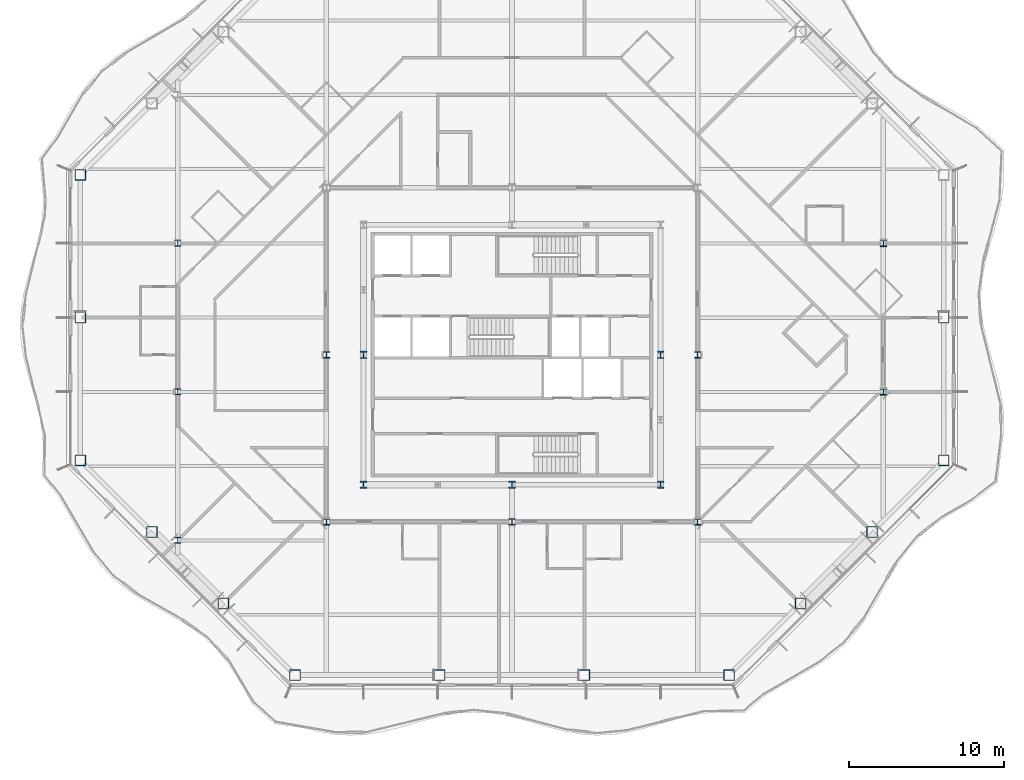
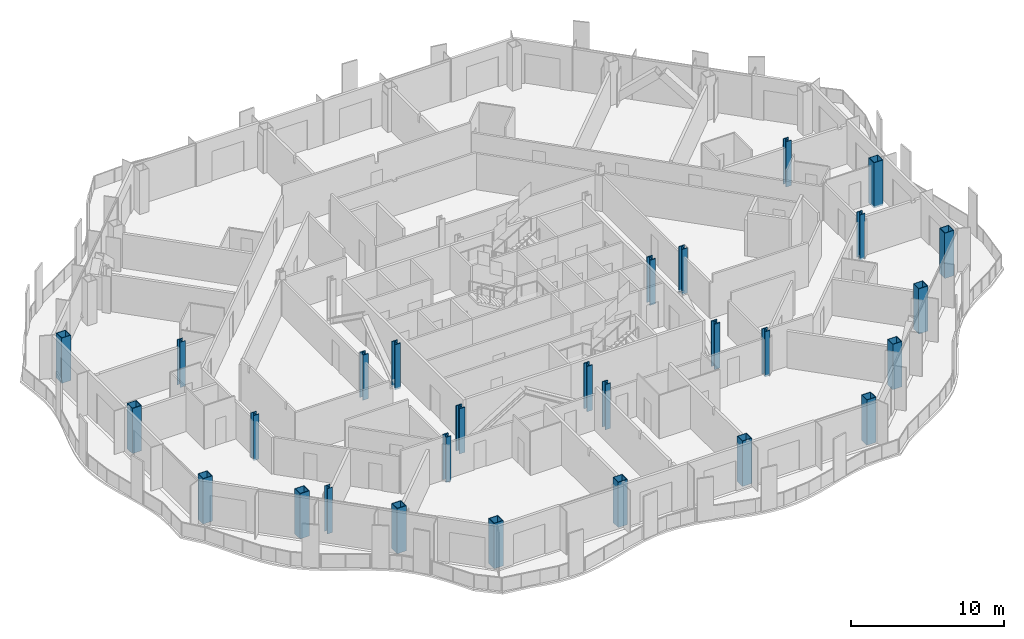
# One storey, part 1 of 21: 28 columns.
"""IFC4 building model written with IfcOpenShell, lengths in metres."""

from ifc_helpers import new_model, si_unit, direction, frame, origin, origin_2d, place, context, subcontext, project, spatial, hollow_rectangle, i_section, extrude, material, material_profile, profile_set, type_object, element, save


model = new_model("IFC4")

# Units and contexts
model_context = context("Model", 3, precision=1e-05, world=origin(), true_north=direction((0.0, 1.0)))
body_context = subcontext(model_context, "Body", "Model", "MODEL_VIEW")
ifc_project = project(units=[si_unit("LENGTHUNIT", "METRE"), si_unit("AREAUNIT", "SQUARE_METRE"), si_unit("VOLUMEUNIT", "CUBIC_METRE"), si_unit("PLANEANGLEUNIT", "RADIAN"), si_unit("MASSUNIT", "GRAM", prefix="KILO")], contexts=[model_context])

# Site, building, storey
site_placement = place(None, origin())
site = spatial("IfcSite", under=ifc_project, at=site_placement, CompositionType="ELEMENT")
building_placement = place(site_placement, origin())
building = spatial("IfcBuilding", under=site, at=building_placement, Name="Cairn Pilgrim Tower", CompositionType="ELEMENT")
storey_placement = place(building_placement, frame((0.0, 0.0, 132.60009765625)))
storey = spatial("IfcBuildingStorey", under=building, at=storey_placement, Name="L32", CompositionType="ELEMENT", Elevation=132.60009765625)

# Columns
ifc_material_1 = material(Name="Structural steel S460M", Category="steel")
ifc_material_profile_1 = material_profile(ifc_material_1, hollow_rectangle(XDim=0.699951171875, YDim=0.699951171875, WallThickness=0.0400390625, at=origin_2d()), Name="BOX 700x700x40")
ifc_profile_set_1 = profile_set([ifc_material_profile_1], Name="Structural steel S460M")
column_type_1 = type_object("IfcColumnType", Name="BOX 700x700x40", PredefinedType="COLUMN", material=ifc_profile_set_1)
for number, where, z_axis, x_axis, name in (
    (1, (-6.8271484375, -18.300048828125, -0.150146484375), (0.0, 0.0, 1.0), (1.0, 0.0, 0.0), "PC2-S1"),
    (2, (2.5244140625, -18.300048828125, -0.150146484375), (0.0, 0.0, 1.0), (1.0, 0.0, 0.0), "PC2-S2"),
    (3, (11.875732421875, -18.300048828125, -0.150146484375), (0.0, 0.0, 1.0), (1.0, 0.0, 0.0), "PC2-S3"),
    (4, (21.227294921875, -18.300048828125, -0.150146484375), (0.0, 0.0, 1.0), (1.0, 0.0, 0.0), "PC2-SE1"),
    (5, (25.8515625, -13.67578125, -0.150146484375), (0.0, 0.0, 1.0), (1.0, 0.0, 0.0), "PC2-SE2"),
    (6, (30.4755859375, -9.051513671875, -0.150146484375), (0.0, 0.0, 1.0), (1.0, 0.0, 0.0), "PC2-SE3"),
    (7, (35.10009765625, -4.42724609375, -0.150146484375), (0.0, 0.0, 1.0), (1.0, 0.0, 0.0), "PC2-E1"),
    (8, (35.10009765625, 4.800048828125, -0.150146484375), (0.0, 0.0, 1.0), (1.0, 0.0, 0.0), "PC2-E2"),
    (9, (-20.699951171875, 14.027099609375, -0.150146484375), (0.0, 0.0, 1.0), (1.0, 0.0, 0.0), "PC2-W1"),
    (10, (-20.699951171875, 4.800048828125, -0.150146484375), (0.0, 0.0, 1.0), (1.0, 0.0, 0.0), "PC2-W2"),
    (11, (-20.699951171875, -4.42724609375, -0.150146484375), (0.0, 0.0, 1.0), (1.0, 0.0, 0.0), "PC2-SW1"),
    (12, (-16.07568359375, -9.051513671875, -0.150146484375), (0.0, 0.0, 1.0), (1.0, 0.0, 0.0), "PC2-SW2"),
    (13, (-11.451416015625, -13.67578125, -0.150146484375), (0.0, 0.0, 1.0), (1.0, 0.0, 0.0), "PC2-SW3"),
):
    element("IfcColumn", number, at=place(storey_placement, frame(where, z_axis=z_axis, x_axis=x_axis)), inside=storey, type_object=column_type_1, Name=name, PredefinedType="COLUMN", context=body_context, shape_type="SweptSolid", body=[
        extrude(hollow_rectangle(XDim=0.699951171875, YDim=0.699951171875, WallThickness=0.0400390625, at=origin_2d()), origin(), (0.0, 0.0, 1.0), 3.60009765625),
    ])
ifc_material_2 = material(Name="Structural steel S355J2", Category="steel")
ifc_material_profile_2 = material_profile(ifc_material_2, i_section(OverallWidth=0.39892578125, OverallDepth=0.39306640625, WebThickness=0.022705078125, FlangeThickness=0.03662109375, FilletRadius=0.014892578125, at=origin_2d()), Name="HD 400x287")
ifc_profile_set_2 = profile_set([ifc_material_profile_2], Name="Structural steel S355J2")
column_type_2 = type_object("IfcColumnType", Name="HD 400x287", PredefinedType="COLUMN", material=ifc_profile_set_2)
for number, where, z_axis, x_axis, name in (
    (14, (-14.39990234375, -9.60009765625, -0.150146484375), (0.0, 0.0, 1.0), (1.0, 0.0, 0.0), "WC-WW-2"),
    (15, (-14.39990234375, 0.0, -0.150146484375), (0.0, 0.0, 1.0), (1.0, 0.0, 0.0), "WC-WW+0"),
    (16, (-14.39990234375, 9.60009765625, -0.150146484375), (0.0, 0.0, 1.0), (1.0, 0.0, 0.0), "WC-WW+2"),
):
    element("IfcColumn", number, at=place(storey_placement, frame(where, z_axis=z_axis, x_axis=x_axis)), inside=storey, type_object=column_type_2, Name=name, PredefinedType="COLUMN", context=body_context, shape_type="SweptSolid", body=[
        extrude(i_section(OverallWidth=0.39892578125, OverallDepth=0.39306640625, WebThickness=0.022705078125, FlangeThickness=0.03662109375, FilletRadius=0.014892578125, at=origin_2d()), origin(), (0.0, 0.0, 1.0), 3.60009765625),
    ])
ifc_material_profile_3 = material_profile(ifc_material_1, i_section(OverallWidth=0.408935546875, OverallDepth=0.425048828125, WebThickness=0.03271484375, FlangeThickness=0.052490234375, FilletRadius=0.014892578125, at=origin_2d()), Name="HD 400x421")
ifc_profile_set_3 = profile_set([ifc_material_profile_3], Name="Structural steel S460M")
column_type_3 = type_object("IfcColumnType", Name="HD 400x421", PredefinedType="COLUMN", material=ifc_profile_set_3)
for number, where, z_axis, x_axis, name in (
    (17, (-4.800048828125, -8.39990234375, -0.150146484375), (0.0, 0.0, 1.0), (1.0, 0.0, 0.0), "IC-1"),
    (18, (7.199951171875, -8.39990234375, -0.150146484375), (0.0, 0.0, 1.0), (1.0, 0.0, 0.0), "IC-2"),
    (19, (19.199951171875, -8.39990234375, -0.150146484375), (0.0, 0.0, 1.0), (1.0, 0.0, 0.0), "IC-3"),
    (20, (-4.800048828125, 2.39990234375, -0.150146484375), (0.0, 0.0, 1.0), (1.0, 0.0, 0.0), "IC-4"),
    (21, (19.199951171875, 2.39990234375, -0.150146484375), (0.0, 0.0, 1.0), (1.0, 0.0, 0.0), "IC-5"),
    (22, (31.199951171875, 0.0, -0.150146484375), (0.0, 0.0, 1.0), (1.0, 0.0, 0.0), "WC-WE+0"),
    (23, (31.199951171875, 9.60009765625, -0.150146484375), (0.0, 0.0, 1.0), (1.0, 0.0, 0.0), "WC-WE+2"),
):
    element("IfcColumn", number, at=place(storey_placement, frame(where, z_axis=z_axis, x_axis=x_axis)), inside=storey, type_object=column_type_3, Name=name, PredefinedType="COLUMN", context=body_context, shape_type="SweptSolid", body=[
        extrude(i_section(OverallWidth=0.408935546875, OverallDepth=0.425048828125, WebThickness=0.03271484375, FlangeThickness=0.052490234375, FilletRadius=0.014892578125, at=origin_2d()), origin(), (0.0, 0.0, 1.0), 3.60009765625),
    ])
ifc_material_profile_4 = material_profile(ifc_material_1, i_section(OverallWidth=0.424072265625, OverallDepth=0.47412109375, WebThickness=0.047607421875, FlangeThickness=0.0771484375, FilletRadius=0.014892578125, at=origin_2d()), Name="HD 400x634")
ifc_profile_set_4 = profile_set([ifc_material_profile_4], Name="Structural steel S460M")
column_type_4 = type_object("IfcColumnType", Name="HD 400x634", PredefinedType="COLUMN", material=ifc_profile_set_4)
for number, where, z_axis, x_axis, name in (
    (24, (-2.39990234375, -6.0, -0.150146484375), (0.0, 0.0, 1.0), (1.0, 0.0, 0.0), "KC-1"),
    (25, (7.199951171875, -6.0, -0.150146484375), (0.0, 0.0, 1.0), (1.0, 0.0, 0.0), "KC-2"),
    (26, (16.800048828125, -6.0, -0.150146484375), (0.0, 0.0, 1.0), (1.0, 0.0, 0.0), "KC-3"),
    (27, (-2.39990234375, 2.39990234375, -0.150146484375), (0.0, 0.0, 1.0), (1.0, 0.0, 0.0), "KC-4"),
    (28, (16.800048828125, 2.39990234375, -0.150146484375), (0.0, 0.0, 1.0), (1.0, 0.0, 0.0), "KC-5"),
):
    element("IfcColumn", number, at=place(storey_placement, frame(where, z_axis=z_axis, x_axis=x_axis)), inside=storey, type_object=column_type_4, Name=name, PredefinedType="COLUMN", context=body_context, shape_type="SweptSolid", body=[
        extrude(i_section(OverallWidth=0.424072265625, OverallDepth=0.47412109375, WebThickness=0.047607421875, FlangeThickness=0.0771484375, FilletRadius=0.014892578125, at=origin_2d()), origin(), (0.0, 0.0, 1.0), 3.60009765625),
    ])

save(model, "model.ifc")
